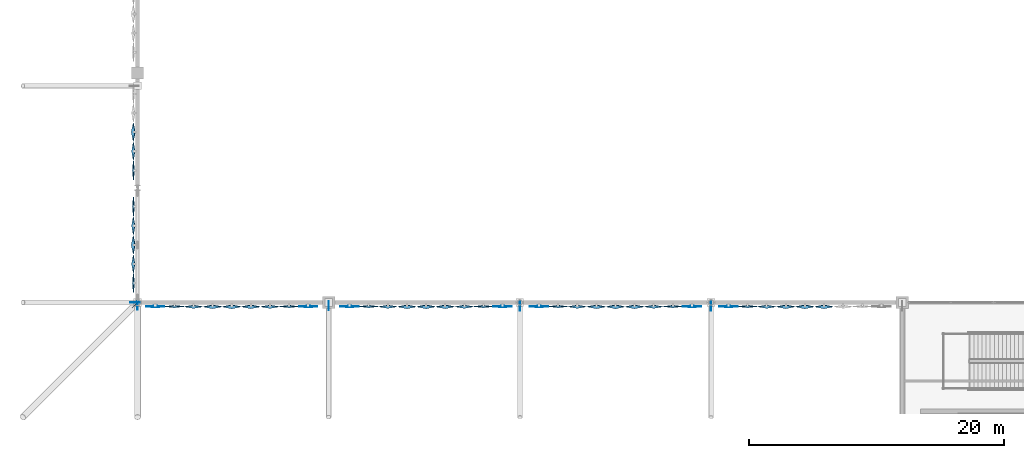
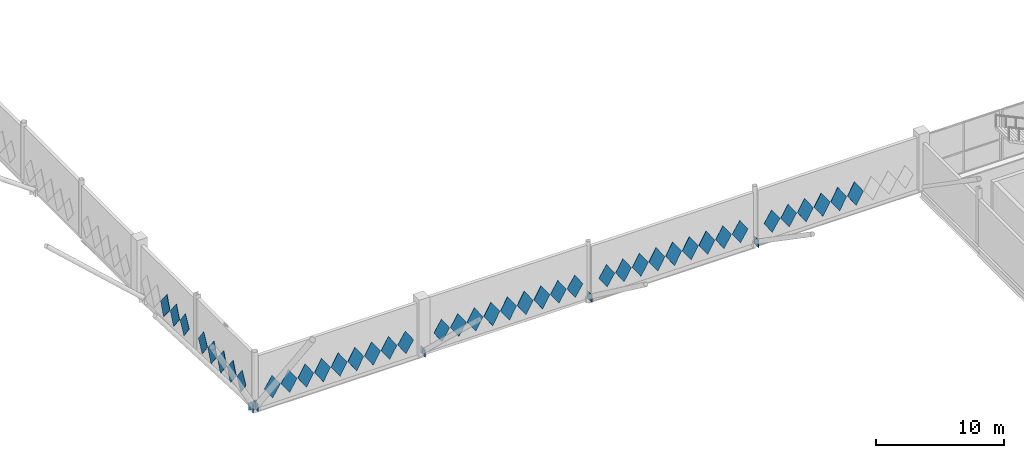
# One storey, part 67 of 119: 47 plates.
"""IFC4 building model written with IfcOpenShell, lengths in metres."""

from ifc_helpers import new_model, si_unit, direction, frame, origin, origin_2d, place, context, subcontext, project, spatial, polyline, rectangle, outline, extrude, material, layer, layer_set, type_object, element, save


model = new_model("IFC4")

# Units and contexts
model_context = context("Model", 3, precision=1e-05, world=origin(), true_north=direction((0.0, 1.0)))
body_context = subcontext(model_context, "Body", "Model", "MODEL_VIEW")
ifc_project = project(units=[si_unit("LENGTHUNIT", "METRE"), si_unit("AREAUNIT", "SQUARE_METRE"), si_unit("VOLUMEUNIT", "CUBIC_METRE"), si_unit("PLANEANGLEUNIT", "RADIAN"), si_unit("MASSUNIT", "GRAM", prefix="KILO")], contexts=[model_context])

# Site, building, storey
site_placement = place(None, origin())
site = spatial("IfcSite", under=ifc_project, at=site_placement, CompositionType="ELEMENT")
building_placement = place(site_placement, origin())
building = spatial("IfcBuilding", under=site, at=building_placement, Name="Qamarlyn Nura Convention Centre", CompositionType="ELEMENT")
storey_placement = place(building_placement, frame((0.0, 0.0, 5.39990234375)))
storey = spatial("IfcBuildingStorey", under=building, at=storey_placement, Name="L01", CompositionType="ELEMENT", Elevation=5.39990234375)

# Plates
ifc_material_1 = material(Name="White high-albedo PVDF aluminium composite sheet", Category="aluminium")
ifc_layer_1 = layer(ifc_material_1, 0.02001953125, Name="FP-DIAM-02")
ifc_layer_set_1 = layer_set([ifc_layer_1], Name="White high-albedo PVDF aluminium composite sheet")
plate_type_1 = type_object("IfcPlateType", Name="FP-DIAM-02", PredefinedType="SHEET", material=ifc_layer_set_1)
for number, where, z_axis, x_axis, name in (
    (1, (13.389404296875, 17.68994140625, 1.7001953125), (0.0, -0.998922518042, 0.046409082599), (1.0, 0.0, 0.0), "L01 pivoted white diamond facade tile 0096"),
    (2, (1.389404296875, 17.68994140625, 1.7001953125), (0.0, -0.998922518042, 0.046409082599), (1.0, 0.0, 0.0), "L01 pivoted white diamond facade tile 0104"),
    (3, (28.635986328125, 17.68994140625, 1.7001953125), (0.0, -0.998922518042, 0.046409082599), (1.0, 0.0, 0.0), "L01 pivoted white diamond facade tile 0105"),
    (4, (16.635986328125, 17.68994140625, 1.7001953125), (0.0, -0.998922518042, 0.046409082599), (1.0, 0.0, 0.0), "L01 pivoted white diamond facade tile 0113"),
    (5, (43.5, 17.68994140625, 1.7001953125), (0.0, -0.998922518042, 0.046409082599), (1.0, 0.0, 0.0), "L01 pivoted white diamond facade tile 0114"),
    (6, (31.5, 17.68994140625, 1.7001953125), (0.0, -0.998922518042, 0.046409082599), (1.0, 0.0, 0.0), "L01 pivoted white diamond facade tile 0122"),
    (7, (46.364013671875, 17.68994140625, 1.7001953125), (0.0, -0.998922518042, 0.046409082599), (1.0, 0.0, 0.0), "L01 pivoted white diamond facade tile 0131"),
):
    element("IfcPlate", number, at=place(storey_placement, frame(where, z_axis=z_axis, x_axis=x_axis)), inside=storey, type_object=plate_type_1, Name=name, PredefinedType="SHEET", context=body_context, shape_type="SweptSolid", body=[
        extrude(outline(polyline([(-0.719970703125, 0.0), (0.0, -1.050048828125), (0.719970703125, 0.0), (0.0, 1.050048828125), (-0.719970703125, 0.0)])), origin(), (0.0, 0.0, 1.0), 0.02001953125),
    ])
ifc_layer_2 = layer(ifc_material_1, 0.02392578125, Name="FP-DIAM-03")
ifc_layer_set_2 = layer_set([ifc_layer_2], Name="White high-albedo PVDF aluminium composite sheet")
plate_type_2 = type_object("IfcPlateType", Name="FP-DIAM-03", PredefinedType="SHEET", material=ifc_layer_set_2)
for number, where, z_axis, x_axis, name in (
    (8, (-0.31005859375, 19.520751953125, 1.7001953125), (-0.998059468659, 0.0, 0.062267945373), (0.0, -1.0, 0.0), "L01 pivoted white diamond facade tile 0049"),
    (9, (-0.31005859375, 25.520751953125, 1.7001953125), (-0.998059468659, 0.0, 0.062267945373), (0.0, -1.0, 0.0), "L01 pivoted white diamond facade tile 0053"),
    (10, (-0.31005859375, 28.36865234375, 1.7001953125), (-0.998059468659, 0.0, 0.062267945373), (0.0, -1.0, 0.0), "L01 pivoted white diamond facade tile 0054"),
):
    element("IfcPlate", number, at=place(storey_placement, frame(where, z_axis=z_axis, x_axis=x_axis)), inside=storey, type_object=plate_type_2, Name=name, PredefinedType="SHEET", context=body_context, shape_type="SweptSolid", body=[
        extrude(outline(polyline([(-0.719970703125, 0.0), (0.0, -1.050048828125), (0.719970703125, 0.0), (0.0, 1.050048828125), (-0.719970703125, 0.0)])), origin(), (0.0, 0.0, 1.0), 0.02392578125),
    ])
ifc_layer_3 = layer(ifc_material_1, 0.02587890625, Name="FP-DIAM-04")
ifc_layer_set_3 = layer_set([ifc_layer_3], Name="White high-albedo PVDF aluminium composite sheet")
plate_type_3 = type_object("IfcPlateType", Name="FP-DIAM-04", PredefinedType="SHEET", material=ifc_layer_set_3)
for number, where, z_axis, x_axis, name in (
    (11, (11.889404296875, 17.68994140625, 1.7001953125), (0.0, -0.996419457129, 0.084547415428), (1.0, 0.0, 0.0), "L01 pivoted white diamond facade tile 0097"),
    (12, (2.889404296875, 17.68994140625, 1.7001953125), (0.0, -0.996419457129, 0.084547415428), (1.0, 0.0, 0.0), "L01 pivoted white diamond facade tile 0103"),
    (13, (27.135986328125, 17.68994140625, 1.7001953125), (0.0, -0.996419457129, 0.084547415428), (1.0, 0.0, 0.0), "L01 pivoted white diamond facade tile 0106"),
    (14, (18.135986328125, 17.68994140625, 1.7001953125), (0.0, -0.996419457129, 0.084547415428), (1.0, 0.0, 0.0), "L01 pivoted white diamond facade tile 0112"),
    (15, (42.0, 17.68994140625, 1.7001953125), (0.0, -0.996419457129, 0.084547415428), (1.0, 0.0, 0.0), "L01 pivoted white diamond facade tile 0115"),
    (16, (33.0, 17.68994140625, 1.7001953125), (0.0, -0.996419457129, 0.084547415428), (1.0, 0.0, 0.0), "L01 pivoted white diamond facade tile 0121"),
    (17, (47.864013671875, 17.68994140625, 1.7001953125), (0.0, -0.996419457129, 0.084547415428), (1.0, 0.0, 0.0), "L01 pivoted white diamond facade tile 0130"),
):
    element("IfcPlate", number, at=place(storey_placement, frame(where, z_axis=z_axis, x_axis=x_axis)), inside=storey, type_object=plate_type_3, Name=name, PredefinedType="SHEET", context=body_context, shape_type="SweptSolid", body=[
        extrude(outline(polyline([(-0.719970703125, 0.0), (0.0, -1.050048828125), (0.719970703125, 0.0), (0.0, 1.050048828125), (-0.719970703125, 0.0)])), origin(), (0.0, 0.0, 1.0), 0.02587890625),
    ])
ifc_layer_4 = layer(ifc_material_1, 0.0380859375, Name="FP-DIAM-07")
ifc_layer_set_4 = layer_set([ifc_layer_4], Name="White high-albedo PVDF aluminium composite sheet")
plate_type_4 = type_object("IfcPlateType", Name="FP-DIAM-07", PredefinedType="SHEET", material=ifc_layer_set_4)
for number, where, z_axis, x_axis, name in (
    (18, (-0.31005859375, 21.020751953125, 1.7001953125), (-0.99271534578, 0.0, 0.120483369194), (0.0, -1.0, 0.0), "L01 pivoted white diamond facade tile 0050"),
    (19, (-0.31005859375, 24.020751953125, 1.7001953125), (-0.99271534578, 0.0, 0.120483369194), (0.0, -1.0, 0.0), "L01 pivoted white diamond facade tile 0052"),
    (20, (-0.31005859375, 29.86865234375, 1.7001953125), (-0.99271534578, 0.0, 0.120483369194), (0.0, -1.0, 0.0), "L01 pivoted white diamond facade tile 0055"),
    (21, (10.389404296875, 17.68994140625, 1.7001953125), (0.0, -0.993312448482, 0.115457263478), (1.0, 0.0, 0.0), "L01 pivoted white diamond facade tile 0098"),
    (22, (4.389404296875, 17.68994140625, 1.7001953125), (0.0, -0.993312448482, 0.115457263478), (1.0, 0.0, 0.0), "L01 pivoted white diamond facade tile 0102"),
    (23, (25.635986328125, 17.68994140625, 1.7001953125), (0.0, -0.993312448482, 0.115457263478), (1.0, 0.0, 0.0), "L01 pivoted white diamond facade tile 0107"),
    (24, (19.635986328125, 17.68994140625, 1.7001953125), (0.0, -0.993312448482, 0.115457263478), (1.0, 0.0, 0.0), "L01 pivoted white diamond facade tile 0111"),
    (25, (40.5, 17.68994140625, 1.7001953125), (0.0, -0.993312448482, 0.115457263478), (1.0, 0.0, 0.0), "L01 pivoted white diamond facade tile 0116"),
    (26, (34.5, 17.68994140625, 1.7001953125), (0.0, -0.993312448482, 0.115457263478), (1.0, 0.0, 0.0), "L01 pivoted white diamond facade tile 0120"),
    (27, (49.364013671875, 17.68994140625, 1.7001953125), (0.0, -0.993312448482, 0.115457263478), (1.0, 0.0, 0.0), "L01 pivoted white diamond facade tile 0129"),
):
    element("IfcPlate", number, at=place(storey_placement, frame(where, z_axis=z_axis, x_axis=x_axis)), inside=storey, type_object=plate_type_4, Name=name, PredefinedType="SHEET", context=body_context, shape_type="SweptSolid", body=[
        extrude(outline(polyline([(-0.719970703125, 0.0), (0.0, -1.050048828125), (0.719970703125, 0.0), (0.0, 1.050048828125), (-0.719970703125, 0.0)])), origin(), (0.0, 0.0, 1.0), 0.0380859375),
    ])
ifc_layer_5 = layer(ifc_material_1, 0.0439453125, Name="FP-DIAM-08")
ifc_layer_set_5 = layer_set([ifc_layer_5], Name="White high-albedo PVDF aluminium composite sheet")
plate_type_5 = type_object("IfcPlateType", Name="FP-DIAM-08", PredefinedType="SHEET", material=ifc_layer_set_5)
for number, where, z_axis, x_axis, name in (
    (28, (-0.31005859375, 22.520751953125, 1.7001953125), (-0.989776230908, 0.0, 0.142628933706), (0.0, -1.0, 0.0), "L01 pivoted white diamond facade tile 0051"),
    (29, (-0.31005859375, 31.36865234375, 1.7001953125), (-0.989776230908, 0.0, 0.142628933706), (0.0, -1.0, 0.0), "L01 pivoted white diamond facade tile 0056"),
    (30, (8.889404296875, 17.68994140625, 1.7001953125), (0.0, -0.990747840471, 0.135715572434), (1.0, 0.0, 0.0), "L01 pivoted white diamond facade tile 0099"),
    (31, (7.389404296875, 17.68994140625, 1.7001953125), (0.0, -0.989776230908, 0.142628933706), (1.0, 0.0, 0.0), "L01 pivoted white diamond facade tile 0100"),
    (32, (5.889404296875, 17.68994140625, 1.7001953125), (0.0, -0.990747840471, 0.135715572434), (1.0, 0.0, 0.0), "L01 pivoted white diamond facade tile 0101"),
    (33, (24.135986328125, 17.68994140625, 1.7001953125), (0.0, -0.990747840471, 0.135715572434), (1.0, 0.0, 0.0), "L01 pivoted white diamond facade tile 0108"),
    (34, (22.635986328125, 17.68994140625, 1.7001953125), (0.0, -0.989776230908, 0.142628933706), (1.0, 0.0, 0.0), "L01 pivoted white diamond facade tile 0109"),
    (35, (21.135986328125, 17.68994140625, 1.7001953125), (0.0, -0.990747840471, 0.135715572434), (1.0, 0.0, 0.0), "L01 pivoted white diamond facade tile 0110"),
    (36, (39.0, 17.68994140625, 1.7001953125), (0.0, -0.990747840471, 0.135715572434), (1.0, 0.0, 0.0), "L01 pivoted white diamond facade tile 0117"),
    (37, (37.5, 17.68994140625, 1.7001953125), (0.0, -0.989776230908, 0.142628933706), (1.0, 0.0, 0.0), "L01 pivoted white diamond facade tile 0118"),
    (38, (36.0, 17.68994140625, 1.7001953125), (0.0, -0.990747840471, 0.135715572434), (1.0, 0.0, 0.0), "L01 pivoted white diamond facade tile 0119"),
    (39, (53.864013671875, 17.68994140625, 1.7001953125), (0.0, -0.990747840471, 0.135715572434), (1.0, 0.0, 0.0), "L01 pivoted white diamond facade tile 0126"),
    (40, (52.364013671875, 17.68994140625, 1.7001953125), (0.0, -0.989776230908, 0.142628933706), (1.0, 0.0, 0.0), "L01 pivoted white diamond facade tile 0127"),
    (41, (50.864013671875, 17.68994140625, 1.7001953125), (0.0, -0.990747840471, 0.135715572434), (1.0, 0.0, 0.0), "L01 pivoted white diamond facade tile 0128"),
):
    element("IfcPlate", number, at=place(storey_placement, frame(where, z_axis=z_axis, x_axis=x_axis)), inside=storey, type_object=plate_type_5, Name=name, PredefinedType="SHEET", context=body_context, shape_type="SweptSolid", body=[
        extrude(outline(polyline([(-0.719970703125, 0.0), (0.0, -1.050048828125), (0.719970703125, 0.0), (0.0, 1.050048828125), (-0.719970703125, 0.0)])), origin(), (0.0, 0.0, 1.0), 0.0439453125),
    ])
ifc_material_2 = material(Name="Structural steel ASTM A572 Grade 50", Category="steel")
ifc_layer_6 = layer(ifc_material_2, 0.035888671875, Name="GP-SN1")
ifc_layer_set_6 = layer_set([ifc_layer_6], Name="Structural steel ASTM A572 Grade 50")
plate_type_6 = type_object("IfcPlateType", Name="GP-SN1", PredefinedType="USERDEFINED", material=ifc_layer_set_6)
for number, where, z_axis, x_axis, name in (
    (42, (-0.205078125, 18.0, -0.0888671875), (0.0, 0.0, 1.0), (1.0, 0.0, 0.0), "Tree strut gusset plate W-2-B"),
    (43, (15.0, 17.75390625, -0.12548828125), (0.0, 0.0, 1.0), (0.0, 1.0, 0.0), "Tree strut gusset plate S-3-B"),
    (44, (-0.159423828125, 17.840576171875, -0.10546875), (0.0, 0.0, 1.0), (0.707106781187, 0.707106781187, 0.0), "Tree strut gusset plate SW-CRN-B"),
):
    element("IfcPlate", number, at=place(storey_placement, frame(where, z_axis=z_axis, x_axis=x_axis)), inside=storey, type_object=plate_type_6, Name=name, ObjectType="GUSSET PLATE", PredefinedType="USERDEFINED", context=body_context, shape_type="SweptSolid", body=[
        extrude(rectangle(XDim=0.719970703125, YDim=0.035888671875, at=origin_2d()), origin(), (0.0, 0.0, 1.0), 0.719970703125),
    ])
ifc_layer_7 = layer(ifc_material_2, 0.0419921875, Name="GP-SN2")
ifc_layer_set_7 = layer_set([ifc_layer_7], Name="Structural steel ASTM A572 Grade 50")
plate_type_7 = type_object("IfcPlateType", Name="GP-SN2", PredefinedType="USERDEFINED", material=ifc_layer_set_7)
plate_placement = place(storey_placement, frame((45.0, 17.719970703125, -0.1669921875), z_axis=(0.0, 0.0, 1.0), x_axis=(0.0, 1.0, 0.0)))
element("IfcPlate", 45, at=plate_placement, inside=storey, type_object=plate_type_7, Name="Tree strut gusset plate S-5-B", ObjectType="GUSSET PLATE", PredefinedType="USERDEFINED", context=body_context, shape_type="SweptSolid", body=[
    extrude(rectangle(XDim=0.719970703125, YDim=0.0419921875, at=origin_2d()), origin(), (0.0, 0.0, 1.0), 0.719970703125),
])
ifc_layer_8 = layer(ifc_material_2, 0.048095703125, Name="GP-SN3")
ifc_layer_set_8 = layer_set([ifc_layer_8], Name="Structural steel ASTM A572 Grade 50")
plate_type_8 = type_object("IfcPlateType", Name="GP-SN3", PredefinedType="USERDEFINED", material=ifc_layer_set_8)
for number, where, z_axis, x_axis, name in (
    (46, (0.0, 17.794921875, -0.0888671875), (0.0, 0.0, 1.0), (0.0, 1.0, 0.0), "Tree strut gusset plate S-2-B"),
    (47, (30.0, 17.726806640625, -0.15771484375), (0.0, 0.0, 1.0), (0.0, 1.0, 0.0), "Tree strut gusset plate S-4-B"),
):
    element("IfcPlate", number, at=place(storey_placement, frame(where, z_axis=z_axis, x_axis=x_axis)), inside=storey, type_object=plate_type_8, Name=name, ObjectType="GUSSET PLATE", PredefinedType="USERDEFINED", context=body_context, shape_type="SweptSolid", body=[
        extrude(rectangle(XDim=0.719970703125, YDim=0.048095703125, at=origin_2d()), origin(), (0.0, 0.0, 1.0), 0.719970703125),
    ])

save(model, "model.ifc")
